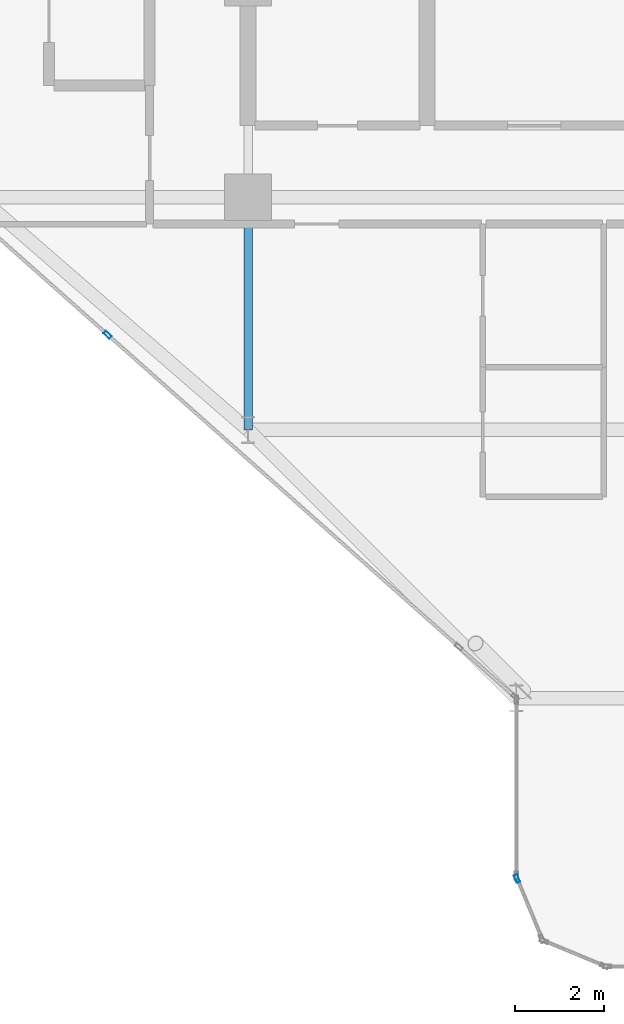
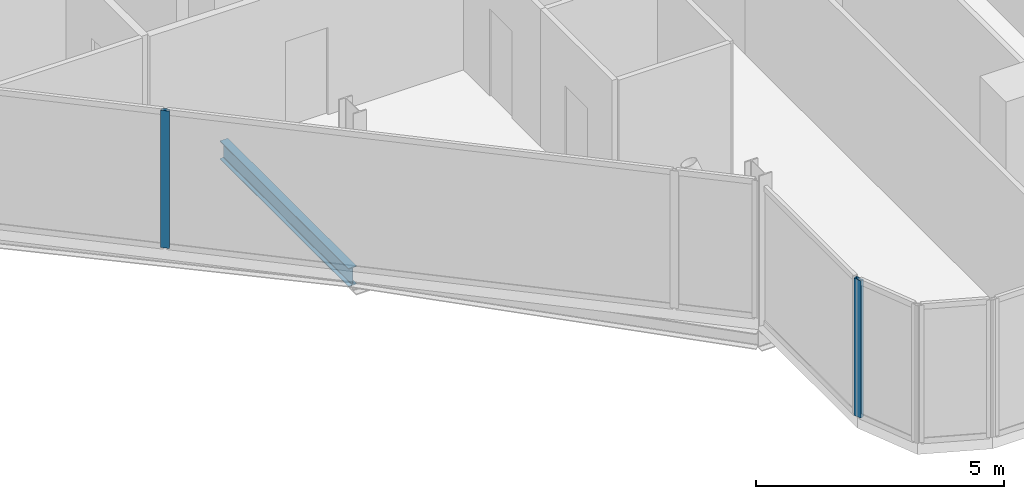
# One storey, part 3 of 30: 2 members, 1 beam, 2 elements without a shape of their own.
"""IFC4 building model written with IfcOpenShell, lengths in metres."""

from ifc_helpers import new_model, si_unit, direction, frame, origin, origin_2d, place, context, subcontext, project, spatial, hollow_rectangle, i_section, extrude, material, layer, layer_set, material_profile, profile_set, type_object, element, aggregate, save


model = new_model("IFC4")

# Units and contexts
model_context = context("Model", 3, precision=1e-05, world=origin(), true_north=direction((0.0, 1.0)))
body_context = subcontext(model_context, "Body", "Model", "MODEL_VIEW")
ifc_project = project(units=[si_unit("LENGTHUNIT", "METRE"), si_unit("AREAUNIT", "SQUARE_METRE"), si_unit("VOLUMEUNIT", "CUBIC_METRE"), si_unit("PLANEANGLEUNIT", "RADIAN"), si_unit("MASSUNIT", "GRAM", prefix="KILO")], contexts=[model_context])

# Site, building, storey
site_placement = place(None, origin())
site = spatial("IfcSite", under=ifc_project, at=site_placement, CompositionType="ELEMENT")
building_placement = place(site_placement, origin())
building = spatial("IfcBuilding", under=site, at=building_placement, Name="Keshet Zoharim Tower", CompositionType="ELEMENT")
storey_placement = place(building_placement, frame((0.0, 0.0, 90.89990234375)))
storey = spatial("IfcBuildingStorey", under=building, at=storey_placement, Name="L21", CompositionType="ELEMENT", Elevation=90.89990234375)

# Beam
ifc_material_1 = material(Name="Steel S355", Category="steel")
ifc_material_profile_1 = material_profile(ifc_material_1, i_section(OverallWidth=0.18994140625, OverallDepth=0.449951171875, WebThickness=0.009521484375, FlangeThickness=0.0146484375, FilletRadius=0.02099609375, at=origin_2d()), Name="IPE450")
ifc_profile_set_1 = profile_set([ifc_material_profile_1], Name="Steel S355")
beam_type = type_object("IfcBeamType", Name="BM-PRI-IP450", PredefinedType="BEAM", material=ifc_profile_set_1)
beam_placement = place(storey_placement, frame((15.0, 12.699951171875, -0.539794921875), z_axis=(0.0, 1.0, 0.0), x_axis=(-1.0, 0.0, 0.0)))
element("IfcBeam", 1, at=beam_placement, inside=storey, type_object=beam_type, Name="L21 Primary Girder Y-002", PredefinedType="BEAM", context=body_context, shape_type="SweptSolid", body=[
    extrude(i_section(OverallWidth=0.18994140625, OverallDepth=0.449951171875, WebThickness=0.009521484375, FlangeThickness=0.0146484375, FilletRadius=0.02099609375, at=origin_2d()), origin(), (0.0, 0.0, 1.0), 5.199951171875),
])

# Curtain wall, member
ifc_material_2 = material(Name="Aluminium 6063-T6", Category="aluminium")
ifc_layer = layer(ifc_material_2, 0.159912109375)
ifc_layer_set = layer_set([ifc_layer], Name="Aluminium 6063-T6")
curtain_wall_type = type_object("IfcCurtainWallType", Name="CW-SYS-03", PredefinedType="NOTDEFINED", material=ifc_layer_set)
curtain_wall_1_placement = place(storey_placement, origin())
curtain_wall_1 = element("IfcCurtainWall", 2, at=curtain_wall_1_placement, inside=storey, type_object=curtain_wall_type, Name="L21 Unitised Curtain Wall 05", PredefinedType="NOTDEFINED")
ifc_material_profile_2 = material_profile(ifc_material_2, hollow_rectangle(XDim=0.080078125, YDim=0.179931640625, WallThickness=0.00439453125, at=origin_2d()), Name="MUL-80x180")
ifc_profile_set_2 = profile_set([ifc_material_profile_2], Name="Aluminium 6063-T6")
member_type = type_object("IfcMemberType", Name="CWM-M18", PredefinedType="MULLION", material=ifc_profile_set_2)
member_1_placement = place(storey_placement, frame((21.013427734375, 2.667724609375, 0.0), z_axis=(0.0, 0.0, 1.0), x_axis=(-0.92380975372, -0.382851849847, 0.0)))
member_1 = element("IfcMember", 3, at=member_1_placement, type_object=member_type, Name="CW-03 mullion 2", PredefinedType="MULLION", context=body_context, shape_type="SweptSolid", body=[
    extrude(hollow_rectangle(XDim=0.080078125, YDim=0.179931640625, WallThickness=0.00439453125, at=origin_2d()), origin(), (0.0, 0.0, 1.0), 3.385009765625),
])
aggregate(curtain_wall_1, [member_1])

curtain_wall_2_placement = place(storey_placement, origin())
curtain_wall_2 = element("IfcCurtainWall", 4, at=curtain_wall_2_placement, inside=storey, type_object=curtain_wall_type, Name="L21 Unitised Curtain Wall 07 Part 2", PredefinedType="NOTDEFINED")
member_2_placement = place(storey_placement, frame((11.859619140625, 14.82470703125, 0.0), z_axis=(0.0, 0.0, 1.0), x_axis=(-0.664364135264, -0.747409055186, 0.0)))
member_2 = element("IfcMember", 5, at=member_2_placement, type_object=member_type, Name="CW-03 mullion 2", PredefinedType="MULLION", context=body_context, shape_type="SweptSolid", body=[
    extrude(hollow_rectangle(XDim=0.080078125, YDim=0.179931640625, WallThickness=0.00439453125, at=origin_2d()), origin(), (0.0, 0.0, 1.0), 3.385009765625),
])
aggregate(curtain_wall_2, [member_2])

save(model, "model.ifc")
